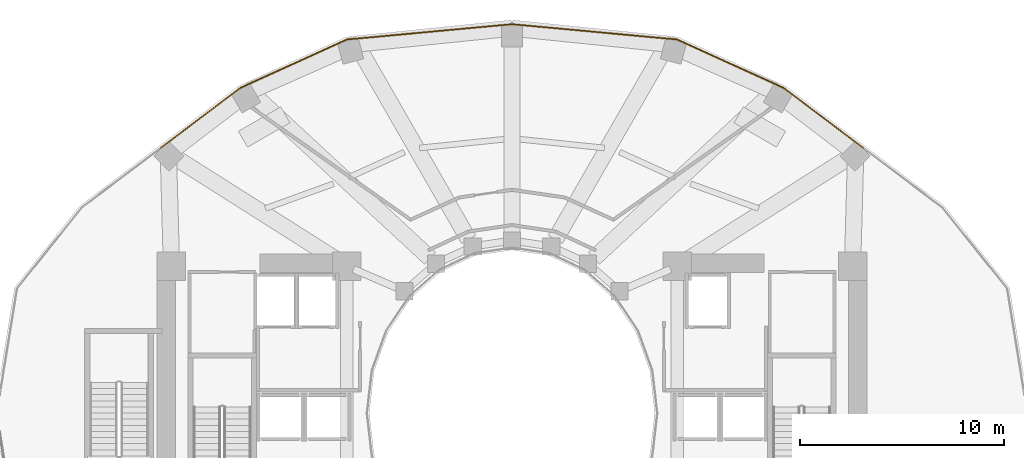
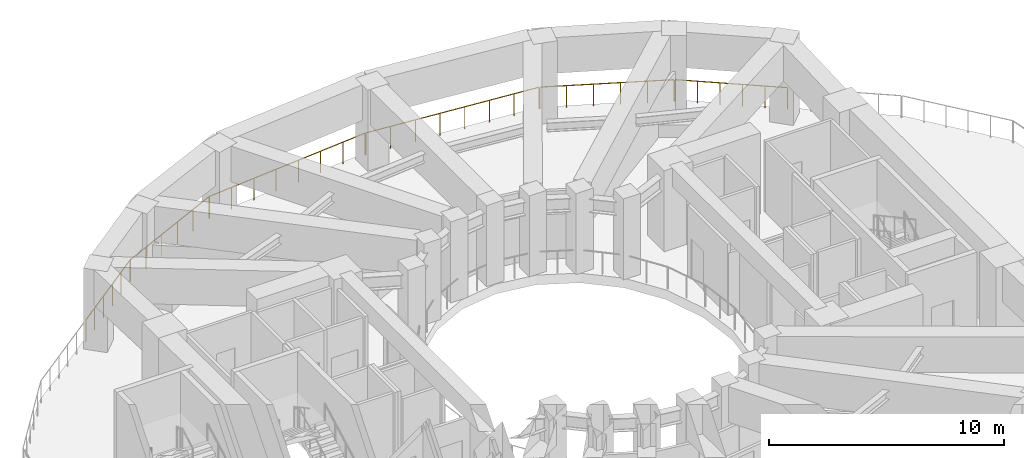
# One storey, part 10 of 10: 6 railings.
"""IFC4 building model written with IfcOpenShell, lengths in metres."""

from ifc_helpers import new_model, si_unit, direction, frame, origin, origin_2d, place, context, subcontext, project, spatial, circle, extrude, material, type_object, element, save


model = new_model("IFC4")

# Units and contexts
model_context = context("Model", 3, precision=1e-05, world=origin(), true_north=direction((0.0, 1.0)))
body_context = subcontext(model_context, "Body", "Model", "MODEL_VIEW")
ifc_project = project(units=[si_unit("LENGTHUNIT", "METRE"), si_unit("AREAUNIT", "SQUARE_METRE"), si_unit("VOLUMEUNIT", "CUBIC_METRE"), si_unit("PLANEANGLEUNIT", "RADIAN"), si_unit("MASSUNIT", "GRAM", prefix="KILO")], contexts=[model_context])

# Site, building, storey
site_placement = place(None, origin())
site = spatial("IfcSite", under=ifc_project, at=site_placement, CompositionType="ELEMENT")
building_placement = place(site_placement, origin())
building = spatial("IfcBuilding", under=site, at=building_placement, Name="Solvane Sanctuary Tower", CompositionType="ELEMENT")
storey_placement = place(building_placement, frame((0.0, 0.0, 69.0)))
storey = spatial("IfcBuildingStorey", under=building, at=storey_placement, Name="L20", CompositionType="ELEMENT", Elevation=69.0)

# Railings
ifc_material = material(Name="Architectural Stainless Steel 316", Category="steel")
railing_type = type_object("IfcRailingType", Name="Railing GR-BALC-1150", PredefinedType="BALUSTRADE", material=ifc_material)
railing_1_placement = place(storey_placement, frame((49.21337890625, 36.013916015625, 0.0)))
element("IfcRailing", 1, at=railing_1_placement, inside=storey, type_object=railing_type, Name="L20 Open Void-Portal Perimeter Balustrade 03", PredefinedType="BALUSTRADE", context=body_context, shape_type="SweptSolid", body=[
    extrude(circle(Radius=0.02392578125, at=origin_2d()), frame((0.0, 0.0, 1.1259765625), z_axis=(-0.797932886887, 0.602746304861, 0.0), x_axis=(-0.602746304861, -0.797932886887, 0.0)), (0.0, 0.0, 1.0), 4.815673828125),
    extrude(circle(Radius=0.02099609375, at=origin_2d()), origin(), (0.0, 0.0, 1.0), 1.101806640625),
    extrude(circle(Radius=0.02099609375, at=origin_2d()), frame((-0.7685546875, 0.58056640625, 0.0)), (0.0, 0.0, 1.0), 1.101806640625),
    extrude(circle(Radius=0.02099609375, at=origin_2d()), frame((-1.537109375, 1.1611328125, 0.0)), (0.0, 0.0, 1.0), 1.101806640625),
    extrude(circle(Radius=0.02099609375, at=origin_2d()), frame((-2.305419921875, 1.741455078125, 0.0)), (0.0, 0.0, 1.0), 1.101806640625),
    extrude(circle(Radius=0.02099609375, at=origin_2d()), frame((-3.073974609375, 2.322021484375, 0.0)), (0.0, 0.0, 1.0), 1.101806640625),
    extrude(circle(Radius=0.02099609375, at=origin_2d()), frame((-3.842529296875, 2.902587890625, 0.0)), (0.0, 0.0, 1.0), 1.101806640625),
])
railing_2_placement = place(storey_placement, frame((45.336669921875, 38.93701171875, 0.0)))
element("IfcRailing", 2, at=railing_2_placement, inside=storey, type_object=railing_type, Name="L20 Open Void-Portal Perimeter Balustrade 04", PredefinedType="BALUSTRADE", context=body_context, shape_type="SweptSolid", body=[
    extrude(circle(Radius=0.02392578125, at=origin_2d()), frame((0.0, 0.0, 1.1259765625), z_axis=(-0.910121263818, 0.414341990566, 0.0), x_axis=(-0.414341990566, -0.910121263818, 0.0)), (0.0, 0.0, 1.0), 5.73193359375),
    extrude(circle(Radius=0.02099609375, at=origin_2d()), origin(), (0.0, 0.0, 1.0), 1.101806640625),
    extrude(circle(Radius=0.02099609375, at=origin_2d()), frame((-1.04345703125, 0.47509765625, 0.0)), (0.0, 0.0, 1.0), 1.101806640625),
    extrude(circle(Radius=0.02099609375, at=origin_2d()), frame((-2.086669921875, 0.949951171875, 0.0)), (0.0, 0.0, 1.0), 1.101806640625),
    extrude(circle(Radius=0.02099609375, at=origin_2d()), frame((-3.130126953125, 1.425048828125, 0.0)), (0.0, 0.0, 1.0), 1.101806640625),
    extrude(circle(Radius=0.02099609375, at=origin_2d()), frame((-4.17333984375, 1.89990234375, 0.0)), (0.0, 0.0, 1.0), 1.101806640625),
    extrude(circle(Radius=0.02099609375, at=origin_2d()), frame((-5.216796875, 2.375, 0.0)), (0.0, 0.0, 1.0), 1.101806640625),
])
railing_3_placement = place(storey_placement, frame((40.081787109375, 41.322265625, 0.0)))
element("IfcRailing", 3, at=railing_3_placement, inside=storey, type_object=railing_type, Name="L20 Open Void-Portal Perimeter Balustrade 05", PredefinedType="BALUSTRADE", context=body_context, shape_type="SweptSolid", body=[
    extrude(circle(Radius=0.02392578125, at=origin_2d()), frame((0.0, 0.0, 1.1259765625), z_axis=(-0.995722660986, 0.092392545146, 0.0), x_axis=(-0.092392545146, -0.995722660986, 0.0)), (0.0, 0.0, 1.0), 8.096435546875),
    extrude(circle(Radius=0.02099609375, at=origin_2d()), origin(), (0.0, 0.0, 1.0), 1.101806640625),
    extrude(circle(Radius=0.02099609375, at=origin_2d()), frame((-1.151611328125, 0.10693359375, 0.0)), (0.0, 0.0, 1.0), 1.101806640625),
    extrude(circle(Radius=0.02099609375, at=origin_2d()), frame((-2.303466796875, 0.213623046875, 0.0)), (0.0, 0.0, 1.0), 1.101806640625),
    extrude(circle(Radius=0.02099609375, at=origin_2d()), frame((-3.455078125, 0.320556640625, 0.0)), (0.0, 0.0, 1.0), 1.101806640625),
    extrude(circle(Radius=0.02099609375, at=origin_2d()), frame((-4.606689453125, 0.427490234375, 0.0)), (0.0, 0.0, 1.0), 1.101806640625),
    extrude(circle(Radius=0.02099609375, at=origin_2d()), frame((-5.75830078125, 0.534423828125, 0.0)), (0.0, 0.0, 1.0), 1.101806640625),
    extrude(circle(Radius=0.02099609375, at=origin_2d()), frame((-6.91015625, 0.64111328125, 0.0)), (0.0, 0.0, 1.0), 1.101806640625),
    extrude(circle(Radius=0.02099609375, at=origin_2d()), frame((-8.061767578125, 0.748046875, 0.0)), (0.0, 0.0, 1.0), 1.101806640625),
])
railing_4_placement = place(storey_placement, frame((31.97998046875, 42.0703125, 0.0)))
element("IfcRailing", 4, at=railing_4_placement, inside=storey, type_object=railing_type, Name="L20 Open Void-Portal Perimeter Balustrade 06", PredefinedType="BALUSTRADE", context=body_context, shape_type="SweptSolid", body=[
    extrude(circle(Radius=0.02392578125, at=origin_2d()), frame((0.0, 0.0, 1.1259765625), z_axis=(-0.995722660986, -0.092392545146, 0.0), x_axis=(0.092392545146, -0.995722660986, 0.0)), (0.0, 0.0, 1.0), 8.096435546875),
    extrude(circle(Radius=0.02099609375, at=origin_2d()), origin(), (0.0, 0.0, 1.0), 1.101806640625),
    extrude(circle(Radius=0.02099609375, at=origin_2d()), frame((-1.151611328125, -0.10693359375, 0.0)), (0.0, 0.0, 1.0), 1.101806640625),
    extrude(circle(Radius=0.02099609375, at=origin_2d()), frame((-2.303466796875, -0.213623046875, 0.0)), (0.0, 0.0, 1.0), 1.101806640625),
    extrude(circle(Radius=0.02099609375, at=origin_2d()), frame((-3.455078125, -0.320556640625, 0.0)), (0.0, 0.0, 1.0), 1.101806640625),
    extrude(circle(Radius=0.02099609375, at=origin_2d()), frame((-4.606689453125, -0.427490234375, 0.0)), (0.0, 0.0, 1.0), 1.101806640625),
    extrude(circle(Radius=0.02099609375, at=origin_2d()), frame((-5.75830078125, -0.534423828125, 0.0)), (0.0, 0.0, 1.0), 1.101806640625),
    extrude(circle(Radius=0.02099609375, at=origin_2d()), frame((-6.91015625, -0.64111328125, 0.0)), (0.0, 0.0, 1.0), 1.101806640625),
    extrude(circle(Radius=0.02099609375, at=origin_2d()), frame((-8.061767578125, -0.748046875, 0.0)), (0.0, 0.0, 1.0), 1.101806640625),
])
railing_5_placement = place(storey_placement, frame((23.880126953125, 41.31201171875, 0.0)))
element("IfcRailing", 5, at=railing_5_placement, inside=storey, type_object=railing_type, Name="L20 Open Void-Portal Perimeter Balustrade 07", PredefinedType="BALUSTRADE", context=body_context, shape_type="SweptSolid", body=[
    extrude(circle(Radius=0.02392578125, at=origin_2d()), frame((0.0, 0.0, 1.1259765625), z_axis=(-0.910121263818, -0.414341990566, 0.0), x_axis=(0.414341990566, -0.910121263818, 0.0)), (0.0, 0.0, 1.0), 5.73193359375),
    extrude(circle(Radius=0.02099609375, at=origin_2d()), origin(), (0.0, 0.0, 1.0), 1.101806640625),
    extrude(circle(Radius=0.02099609375, at=origin_2d()), frame((-1.04345703125, -0.47509765625, 0.0)), (0.0, 0.0, 1.0), 1.101806640625),
    extrude(circle(Radius=0.02099609375, at=origin_2d()), frame((-2.086669921875, -0.949951171875, 0.0)), (0.0, 0.0, 1.0), 1.101806640625),
    extrude(circle(Radius=0.02099609375, at=origin_2d()), frame((-3.130126953125, -1.425048828125, 0.0)), (0.0, 0.0, 1.0), 1.101806640625),
    extrude(circle(Radius=0.02099609375, at=origin_2d()), frame((-4.17333984375, -1.89990234375, 0.0)), (0.0, 0.0, 1.0), 1.101806640625),
    extrude(circle(Radius=0.02099609375, at=origin_2d()), frame((-5.216796875, -2.375, 0.0)), (0.0, 0.0, 1.0), 1.101806640625),
])
railing_6_placement = place(storey_placement, frame((18.629150390625, 38.91650390625, 0.0)))
element("IfcRailing", 6, at=railing_6_placement, inside=storey, type_object=railing_type, Name="L20 Open Void-Portal Perimeter Balustrade 08", PredefinedType="BALUSTRADE", context=body_context, shape_type="SweptSolid", body=[
    extrude(circle(Radius=0.02392578125, at=origin_2d()), frame((0.0, 0.0, 1.1259765625), z_axis=(-0.797932886887, -0.602746304861, 0.0), x_axis=(0.602746304861, -0.797932886887, 0.0)), (0.0, 0.0, 1.0), 4.815673828125),
    extrude(circle(Radius=0.02099609375, at=origin_2d()), origin(), (0.0, 0.0, 1.0), 1.101806640625),
    extrude(circle(Radius=0.02099609375, at=origin_2d()), frame((-0.7685546875, -0.58056640625, 0.0)), (0.0, 0.0, 1.0), 1.101806640625),
    extrude(circle(Radius=0.02099609375, at=origin_2d()), frame((-1.537109375, -1.1611328125, 0.0)), (0.0, 0.0, 1.0), 1.101806640625),
    extrude(circle(Radius=0.02099609375, at=origin_2d()), frame((-2.305419921875, -1.741455078125, 0.0)), (0.0, 0.0, 1.0), 1.101806640625),
    extrude(circle(Radius=0.02099609375, at=origin_2d()), frame((-3.073974609375, -2.322021484375, 0.0)), (0.0, 0.0, 1.0), 1.101806640625),
    extrude(circle(Radius=0.02099609375, at=origin_2d()), frame((-3.842529296875, -2.902587890625, 0.0)), (0.0, 0.0, 1.0), 1.101806640625),
])

save(model, "model.ifc")
